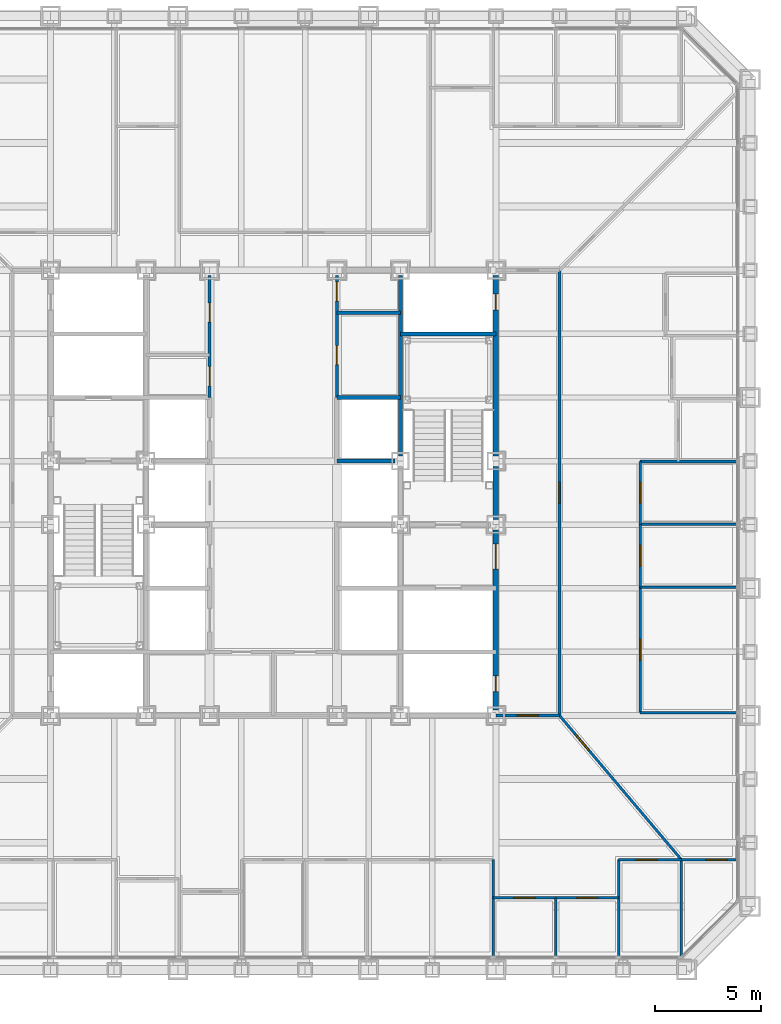
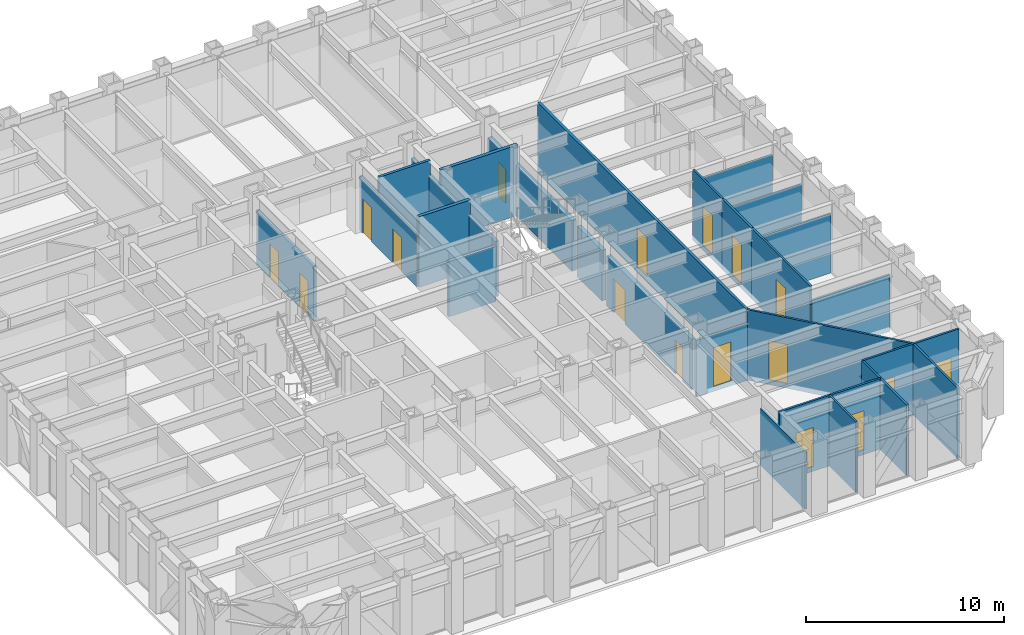
# One storey, part 10 of 16: 28 walls, 17 doors, 17 openings.
"""IFC4 building model written with IfcOpenShell, lengths in metres."""

import ifcopenshell
import ifcopenshell.guid

model = None  # the IFC model being written
_history = None  # IfcOwnerHistory: only IFC2X3 demands one
_inside = {}  # id of a spatial element -> (the spatial element, [elements in it])
_under = {}  # id of a project, library or spatial element -> (it, [spatial elements below it])
_declared = {}  # id of a project -> (the project, [libraries it declares])
_typed = {}  # id of a type object -> (the type object, [elements of that type])
_made_of = {}  # id of a material, layer set ... -> (it, [elements and type objects made of it])


def new_model(schema):
    """Start an empty IFC model of exactly this schema.

    Asked for "IFC4X3", IfcOpenShell would pick the latest addendum, in which some entities
    have other attributes; the version numbers below select the first issue.
    IFC2X3 requires an IfcOwnerHistory on every rooted entity: one is made here for all.
    """
    global model, _history
    if schema == "IFC4X3":
        model = ifcopenshell.file(schema_version=(4, 3, 0, 0))
    else:
        model = ifcopenshell.file(schema=schema)
    _inside.clear()
    _under.clear()
    _declared.clear()
    _typed.clear()
    _made_of.clear()
    _history = None
    if model.schema == "IFC2X3":
        org = make("IfcOrganization", Name="unknown")
        user = make(
            "IfcPersonAndOrganization",
            ThePerson=make("IfcPerson", FamilyName="unknown"),
            TheOrganization=org,
        )
        app = make(
            "IfcApplication",
            ApplicationDeveloper=org,
            Version="unknown",
            ApplicationFullName="unknown",
            ApplicationIdentifier="unknown",
        )
        _history = make(
            "IfcOwnerHistory",
            OwningUser=user,
            OwningApplication=app,
            ChangeAction="ADDED",
            CreationDate=0,
        )
    return model


def make(cls, **values):
    """One entity of the class cls with the attributes given. An attribute that is None is left unset."""
    return model.create_entity(
        cls, **{name: value for name, value in values.items() if value is not None}
    )


def rooted(cls, **values):
    """An entity with a GlobalId (a new one), such as an element, a storey or a relation."""
    return make(cls, GlobalId=ifcopenshell.guid.new(), OwnerHistory=_history, **values)


def si_unit(unit_type, name, prefix=None):
    """IfcSIUnit, for example si_unit("LENGTHUNIT", "METRE", prefix="MILLI")."""
    return make("IfcSIUnit", UnitType=unit_type, Prefix=prefix, Name=name)


def assignment(units):
    """IfcUnitAssignment: the units of a project."""
    return None if units is None else make("IfcUnitAssignment", Units=units)


def point(xyz):
    """IfcCartesianPoint."""
    return None if xyz is None else make("IfcCartesianPoint", Coordinates=xyz)


def direction(xyz):
    """IfcDirection."""
    return None if xyz is None else make("IfcDirection", DirectionRatios=xyz)


def frame(location, z_axis=None, x_axis=None):
    """IfcAxis2Placement3D, a coordinate frame: its origin and axes. An axis left out is left unset."""
    return make(
        "IfcAxis2Placement3D",
        Location=point(location),
        Axis=direction(z_axis),
        RefDirection=direction(x_axis),
    )


def frame_2d(location, x_axis=None):
    """IfcAxis2Placement2D, a coordinate frame in the plane: its origin and x axis."""
    return make(
        "IfcAxis2Placement2D", Location=point(location), RefDirection=direction(x_axis)
    )


def origin():
    """The frame at (0, 0, 0) with its axes left unset."""
    return frame((0.0, 0.0, 0.0))


def place(relative_to, where):
    """IfcLocalPlacement: puts the frame where relative to a parent placement (None: the world)."""
    return make(
        "IfcLocalPlacement", PlacementRelTo=relative_to, RelativePlacement=where
    )


def context(
    kind, dimensions, precision=None, world=None, true_north=None, identifier=None
):
    """IfcGeometricRepresentationContext, for example the 3D "Model" context."""
    return make(
        "IfcGeometricRepresentationContext",
        ContextIdentifier=identifier,
        ContextType=kind,
        CoordinateSpaceDimension=dimensions,
        Precision=precision,
        WorldCoordinateSystem=world,
        TrueNorth=true_north,
    )


def subcontext(parent, identifier, kind, view, scale=None):
    """IfcGeometricRepresentationSubContext, for example "Body" below "Model"."""
    return make(
        "IfcGeometricRepresentationSubContext",
        ContextIdentifier=identifier,
        ContextType=kind,
        ParentContext=parent,
        TargetScale=scale,
        TargetView=view,
    )


def project(units=None, contexts=None):
    """IfcProject with its units and contexts."""
    return rooted(
        "IfcProject",
        Name="project",
        RepresentationContexts=contexts,
        UnitsInContext=assignment(units),
    )


def spatial(cls, under=None, at=None, **own):
    """A site, building, storey or space (cls), placed at a placement, below another one or the project."""
    s = rooted(cls, ObjectPlacement=at, **own)
    if under is not None:
        _under.setdefault(under.id(), (under, []))[1].append(s)
    return s


def profile(cls, at=None, kind="AREA", **sizes):
    """A parametric profile (cls). Its sizes go by their IFC names, for example OverallWidth=200.0."""
    return make(cls, ProfileType=kind, Position=at, **sizes)


def rectangle(**sizes):
    """IfcRectangleProfileDef."""
    return profile("IfcRectangleProfileDef", **sizes)


def extrude(swept, where, along, depth):
    """IfcExtrudedAreaSolid: the profile swept, set in the frame where, extruded along a direction by depth."""
    return make(
        "IfcExtrudedAreaSolid",
        SweptArea=swept,
        Position=where,
        ExtrudedDirection=direction(along),
        Depth=depth,
    )


def shape(context_of_items, identifier, shape_type, items):
    """IfcShapeRepresentation: the items that make up one representation, for example the "Body"."""
    return make(
        "IfcShapeRepresentation",
        ContextOfItems=context_of_items,
        RepresentationIdentifier=identifier,
        RepresentationType=shape_type,
        Items=items,
    )


def material(Name=None, Category=None):
    """IfcMaterial."""
    return make("IfcMaterial", Name=Name, Category=Category)


def layer(
    of_material, thickness, ventilated=None, Name=None, Category=None, Priority=None
):
    """IfcMaterialLayer: one layer of a wall or slab, of a material (None: an air gap)."""
    return make(
        "IfcMaterialLayer",
        Material=of_material,
        LayerThickness=thickness,
        IsVentilated=ventilated,
        Name=Name,
        Category=Category,
        Priority=Priority,
    )


def layer_set(layers, Name=None):
    """IfcMaterialLayerSet."""
    return make("IfcMaterialLayerSet", MaterialLayers=layers, LayerSetName=Name)


def made_of(thing, what):
    """Note that an element or type object is made of a material, layer set ...; save() writes the relation."""
    if what is not None:
        _made_of.setdefault(what.id(), (what, []))[1].append(thing)
    return thing


def type_object(cls, material=None, **own):
    """A type object (cls), such as IfcWallType, which elements share."""
    return made_of(rooted(cls, **own), material)


def element(
    cls,
    number,
    at=None,
    inside=None,
    cuts=None,
    type_object=None,
    material=None,
    context=None,
    identifier="Body",
    shape_type=None,
    held_by="IfcProductDefinitionShape",
    body=None,
    shapes=None,
    **own,
):
    """One element of the class cls, such as IfcWall. Its Tag is "e" and its number.

    at: its placement. inside: the storey or other place that contains it. cuts: it is an
    opening in that element (IfcRelVoidsElement). A single representation is given by context,
    identifier, shape_type and body (its items); several are given by shapes. held_by: the class
    of the entity that holds the representations. save() writes the other relations.
    """
    e = rooted(cls, Tag="e%d" % number, ObjectPlacement=at, **own)
    if body is not None:
        shapes = [shape(context, identifier, shape_type, body)]
    if shapes is not None:
        e.Representation = make(held_by, Representations=shapes)
    if inside is not None:
        _inside.setdefault(inside.id(), (inside, []))[1].append(e)
    if cuts is not None:
        rooted(
            "IfcRelVoidsElement", RelatingBuildingElement=cuts, RelatedOpeningElement=e
        )
    if type_object is not None:
        _typed.setdefault(type_object.id(), (type_object, []))[1].append(e)
    return made_of(e, material)


def fill(opening, filler):
    """IfcRelFillsElement: the door or window that sits in an opening."""
    return rooted(
        "IfcRelFillsElement",
        RelatingOpeningElement=opening,
        RelatedBuildingElement=filler,
    )


def aggregate(whole, parts):
    """IfcRelAggregates: a whole, such as a stair, and the parts it consists of."""
    return rooted("IfcRelAggregates", RelatingObject=whole, RelatedObjects=parts)


def save(model, path):
    """Write the relations noted so far, then the file.

    IfcRelAggregates (storeys below a building ...), IfcRelContainedInSpatialStructure (elements
    in a storey), IfcRelDefinesByType, IfcRelAssociatesMaterial and IfcRelDeclares: one each for
    every whole, place, type object, material and project.
    """
    for whole, parts in _under.values():
        aggregate(whole, parts)
    for where, things in _inside.values():
        rooted(
            "IfcRelContainedInSpatialStructure",
            RelatedElements=things,
            RelatingStructure=where,
        )
    for kind, things in _typed.values():
        rooted("IfcRelDefinesByType", RelatedObjects=things, RelatingType=kind)
    for what, things in _made_of.values():
        rooted("IfcRelAssociatesMaterial", RelatedObjects=things, RelatingMaterial=what)
    for by, libraries in _declared.values():
        rooted("IfcRelDeclares", RelatingContext=by, RelatedDefinitions=libraries)
    model.write(path)


model = new_model("IFC4")

# Units and contexts
model_context = context("Model", 3, precision=1e-05, world=origin(), true_north=direction((0.0, 1.0)))
body_context = subcontext(model_context, "Body", "Model", "MODEL_VIEW")
ifc_project = project(units=[si_unit("LENGTHUNIT", "METRE"), si_unit("AREAUNIT", "SQUARE_METRE"), si_unit("VOLUMEUNIT", "CUBIC_METRE"), si_unit("PLANEANGLEUNIT", "RADIAN"), si_unit("MASSUNIT", "GRAM", prefix="KILO")], contexts=[model_context])

# Site, building, storey
site_placement = place(None, origin())
site = spatial("IfcSite", under=ifc_project, at=site_placement, CompositionType="ELEMENT")
building_placement = place(site_placement, origin())
building = spatial("IfcBuilding", under=site, at=building_placement, Name="Chuquiago Exchange Tower", CompositionType="ELEMENT")
storey_placement = place(building_placement, frame((0.0, 0.0, 33.300048828125)))
storey = spatial("IfcBuildingStorey", under=building, at=storey_placement, Name="L06", CompositionType="ELEMENT", Elevation=33.300048828125)

# Wall, openings, doors
ifc_material_1 = material(Name="Concrete masonry, fully grouted", Category="masonry")
ifc_layer_1 = layer(ifc_material_1, 0.25)
ifc_layer_set_1 = layer_set([ifc_layer_1], Name="W1 core wall 250")
wall_type_1 = type_object("IfcWallType", Name="W1 core wall 250", PredefinedType="SOLIDWALL", material=ifc_layer_set_1)
wall_1_placement = place(storey_placement, frame((33.0, 12.25, 0.0), z_axis=(0.0, 0.0, 1.0), x_axis=(0.0, 1.0, 0.0)))
wall_1 = element("IfcWall", 1, at=wall_1_placement, inside=storey, type_object=wall_type_1, Name="CW-L06-25-0", PredefinedType="SOLIDWALL", context=body_context, shape_type="SweptSolid", body=[
    extrude(rectangle(XDim=8.5, YDim=0.25, at=frame_2d((4.25, 0.0))), origin(), (0.0, 0.0, 1.0), 3.11279296875),
])
opening_1_placement = place(wall_1_placement, frame((6.64990234375, 0.0, 0.0)))
opening_1 = element("IfcOpeningElement", 2, at=opening_1_placement, cuts=wall_1, Name="Opening L06-004", PredefinedType="OPENING", context=body_context, shape_type="SweptSolid", body=[
    extrude(rectangle(XDim=1.199951171875, YDim=2.10009765625, at=frame_2d((0.60009765625, 1.050048828125))), frame((0.0, 0.135009765625, 0.0), z_axis=(0.0, -1.0, 0.0), x_axis=(1.0, 0.0, 0.0)), (0.0, 0.0, 1.0), 0.27001953125),
])
opening_2_placement = place(wall_1_placement, frame((0.875, 0.0, 0.0)))
opening_2 = element("IfcOpeningElement", 3, at=opening_2_placement, cuts=wall_1, Name="Opening L06-009", PredefinedType="OPENING", context=body_context, shape_type="SweptSolid", body=[
    extrude(rectangle(XDim=0.75, YDim=2.10009765625, at=frame_2d((0.375, 1.050048828125))), frame((0.0, 0.135009765625, 0.0), z_axis=(0.0, -1.0, 0.0), x_axis=(1.0, 0.0, 0.0)), (0.0, 0.0, 1.0), 0.27001953125),
])
ifc_material_2 = material(Name="Steel door, painted", Category="steel")
door_type_1 = type_object("IfcDoorType", Name="D5 firefighting lobby door 1200x2100", OperationType="SINGLE_SWING_LEFT", PredefinedType="DOOR", material=ifc_material_2)
door_1_placement = place(opening_1_placement, origin())
door_1 = element("IfcDoor", 4, at=door_1_placement, inside=storey, type_object=door_type_1, Name="Firefighting lobby 2 door", OperationType="SINGLE_SWING_RIGHT", OverallHeight=2.10009765625, OverallWidth=1.199951171875, PredefinedType="DOOR", context=body_context, shape_type="SweptSolid", body=[
    extrude(rectangle(XDim=1.199951171875, YDim=2.10009765625, at=frame_2d((0.60009765625, 1.050048828125))), frame((0.0, 0.02490234375, 0.0), z_axis=(0.0, -1.0, 0.0), x_axis=(1.0, 0.0, 0.0)), (0.0, 0.0, 1.0), 0.050048828125),
])
fill(opening_1, door_1)
ifc_material_3 = material(Name="Steel door, painted", Category="steel")
door_type_2 = type_object("IfcDoorType", Name="D6 riser access door 750x2100", OperationType="SINGLE_SWING_LEFT", PredefinedType="DOOR", material=ifc_material_3)
door_2_placement = place(opening_2_placement, frame((0.75, 0.0, 0.0), z_axis=(0.0, 0.0, 1.0), x_axis=(-1.0, 0.0, 0.0)))
door_2 = element("IfcDoor", 5, at=door_2_placement, inside=storey, type_object=door_type_2, Name="Riser RE1 door", OperationType="SINGLE_SWING_RIGHT", OverallHeight=2.10009765625, OverallWidth=0.75, PredefinedType="DOOR", context=body_context, shape_type="SweptSolid", body=[
    extrude(rectangle(XDim=0.75, YDim=2.10009765625, at=frame_2d((0.375, 1.050048828125))), frame((0.0, 0.02490234375, 0.0), z_axis=(0.0, -1.0, 0.0), x_axis=(1.0, 0.0, 0.0)), (0.0, 0.0, 1.0), 0.050048828125),
])
fill(opening_2, door_2)

# Wall
wall_2_placement = place(storey_placement, frame((33.0, 21.25, 0.0), z_axis=(0.0, 0.0, 1.0), x_axis=(0.0, 1.0, 0.0)))
element("IfcWall", 6, at=wall_2_placement, inside=storey, type_object=wall_type_1, Name="CW-L06-25-1", PredefinedType="SOLIDWALL", context=body_context, shape_type="SweptSolid", body=[
    extrude(rectangle(XDim=2.5, YDim=0.25, at=frame_2d((1.25, 0.0))), origin(), (0.0, 0.0, 1.0), 3.11279296875),
])

# Wall, opening, door
wall_3_placement = place(storey_placement, frame((33.0, 24.25, 0.0), z_axis=(0.0, 0.0, 1.0), x_axis=(0.0, 1.0, 0.0)))
wall_3 = element("IfcWall", 7, at=wall_3_placement, inside=storey, type_object=wall_type_1, Name="CW-L06-25-2", PredefinedType="SOLIDWALL", context=body_context, shape_type="SweptSolid", body=[
    extrude(rectangle(XDim=8.5, YDim=0.25, at=frame_2d((4.25, 0.0))), origin(), (0.0, 0.0, 1.0), 3.11279296875),
])
opening_3_placement = place(wall_3_placement, frame((6.875, 0.0, 0.0)))
opening_3 = element("IfcOpeningElement", 8, at=opening_3_placement, cuts=wall_3, Name="Opening L06-010", PredefinedType="OPENING", context=body_context, shape_type="SweptSolid", body=[
    extrude(rectangle(XDim=0.75, YDim=2.10009765625, at=frame_2d((0.375, 1.050048828125))), frame((0.0, 0.135009765625, 0.0), z_axis=(0.0, -1.0, 0.0), x_axis=(1.0, 0.0, 0.0)), (0.0, 0.0, 1.0), 0.27001953125),
])
door_3_placement = place(opening_3_placement, frame((0.75, 0.0, 0.0), z_axis=(0.0, 0.0, 1.0), x_axis=(-1.0, 0.0, 0.0)))
door_3 = element("IfcDoor", 9, at=door_3_placement, inside=storey, type_object=door_type_2, Name="Riser RE2 door", OperationType="SINGLE_SWING_LEFT", OverallHeight=2.10009765625, OverallWidth=0.75, PredefinedType="DOOR", context=body_context, shape_type="SweptSolid", body=[
    extrude(rectangle(XDim=0.75, YDim=2.10009765625, at=frame_2d((0.375, 1.050048828125))), frame((0.0, 0.02490234375, 0.0), z_axis=(0.0, -1.0, 0.0), x_axis=(1.0, 0.0, 0.0)), (0.0, 0.0, 1.0), 0.050048828125),
])
fill(opening_3, door_3)

ifc_material_4 = material(Name="Gypsum board on steel studs, acoustic insulation", Category="steel")
ifc_layer_2 = layer(ifc_material_4, 0.14990234375)
ifc_layer_set_2 = layer_set([ifc_layer_2], Name="W11 corridor wall 150")
wall_type_2 = type_object("IfcWallType", Name="W11 corridor wall 150", PredefinedType="PARTITIONING", material=ifc_layer_set_2)
wall_4_placement = place(storey_placement, frame((36.0, 12.0, -0.300048828125), z_axis=(0.0, 0.0, 1.0), x_axis=(0.0, 1.0, 0.0)))
wall_4 = element("IfcWall", 10, at=wall_4_placement, inside=storey, type_object=wall_type_2, Name="PW-L06-GE0", PredefinedType="PARTITIONING", context=body_context, shape_type="SweptSolid", body=[
    extrude(rectangle(XDim=21.0, YDim=0.14990234375, at=frame_2d((10.5, 0.0))), origin(), (0.0, 0.0, 1.0), 4.340087890625),
])
opening_4_placement = place(wall_4_placement, frame((10.0, 0.0, 0.300048828125)))
opening_4 = element("IfcOpeningElement", 11, at=opening_4_placement, cuts=wall_4, Name="Opening L06-053", PredefinedType="OPENING", context=body_context, shape_type="SweptSolid", body=[
    extrude(rectangle(XDim=1.0, YDim=2.39990234375, at=frame_2d((0.5, 1.199951171875))), frame((0.0, 0.0849609375, 0.0), z_axis=(0.0, -1.0, 0.0), x_axis=(1.0, 0.0, 0.0)), (0.0, 0.0, 1.0), 0.169921875),
])
ifc_material_5 = material(Name="Timber door, laminate faced", Category="wood")
door_type_3 = type_object("IfcDoorType", Name="D9 room door 1000x2400", OperationType="SINGLE_SWING_LEFT", PredefinedType="DOOR", material=ifc_material_5)
door_4_placement = place(opening_4_placement, frame((1.0, 0.0, 0.0), z_axis=(0.0, 0.0, 1.0), x_axis=(-1.0, 0.0, 0.0)))
door_4 = element("IfcDoor", 12, at=door_4_placement, inside=storey, type_object=door_type_3, Name="Team area door", OperationType="SINGLE_SWING_RIGHT", OverallHeight=2.39990234375, OverallWidth=1.0, PredefinedType="DOOR", context=body_context, shape_type="SweptSolid", body=[
    extrude(rectangle(XDim=1.0, YDim=2.39990234375, at=frame_2d((0.5, 1.199951171875))), frame((0.0, 0.02490234375, 0.0), z_axis=(0.0, -1.0, 0.0), x_axis=(1.0, 0.0, 0.0)), (0.0, 0.0, 1.0), 0.050048828125),
])
fill(opening_4, door_4)

wall_5_placement = place(storey_placement, frame((33.0, 12.0, -0.300048828125), z_axis=(0.0, 0.0, 1.0), x_axis=(1.0, 0.0, 0.0)))
wall_5 = element("IfcWall", 13, at=wall_5_placement, inside=storey, type_object=wall_type_2, Name="PW-L06-GES0", PredefinedType="PARTITIONING", context=body_context, shape_type="SweptSolid", body=[
    extrude(rectangle(XDim=3.0, YDim=0.14990234375, at=frame_2d((1.5, 0.0))), origin(), (0.0, 0.0, 1.0), 3.4814453125),
])
opening_5_placement = place(wall_5_placement, frame((1.0, 0.0, 0.300048828125)))
opening_5 = element("IfcOpeningElement", 14, at=opening_5_placement, cuts=wall_5, Name="Opening L06-055", PredefinedType="OPENING", context=body_context, shape_type="SweptSolid", body=[
    extrude(rectangle(XDim=1.0, YDim=2.39990234375, at=frame_2d((0.5, 1.199951171875))), frame((0.0, 0.0849609375, 0.0), z_axis=(0.0, -1.0, 0.0), x_axis=(1.0, 0.0, 0.0)), (0.0, 0.0, 1.0), 0.169921875),
])
door_5_placement = place(opening_5_placement, frame((1.0, 0.0, 0.0), z_axis=(0.0, 0.0, 1.0), x_axis=(-1.0, 0.0, 0.0)))
door_5 = element("IfcDoor", 15, at=door_5_placement, inside=storey, type_object=door_type_3, Name="Team area door", OperationType="SINGLE_SWING_RIGHT", OverallHeight=2.39990234375, OverallWidth=1.0, PredefinedType="DOOR", context=body_context, shape_type="SweptSolid", body=[
    extrude(rectangle(XDim=1.0, YDim=2.39990234375, at=frame_2d((0.5, 1.199951171875))), frame((0.0, 0.02490234375, 0.0), z_axis=(0.0, -1.0, 0.0), x_axis=(1.0, 0.0, 0.0)), (0.0, 0.0, 1.0), 0.050048828125),
])
fill(opening_5, door_5)

# Walls
ifc_material_6 = material(Name="Concrete masonry, fully grouted", Category="masonry")
ifc_layer_3 = layer(ifc_material_6, 0.199951171875)
ifc_layer_set_3 = layer_set([ifc_layer_3], Name="W2 shaft wall 200")
wall_type_3 = type_object("IfcWallType", Name="W2 shaft wall 200", PredefinedType="SOLIDWALL", material=ifc_layer_set_3)
wall_6_placement = place(storey_placement, frame((25.5, 24.0, 0.0), z_axis=(0.0, 0.0, 1.0), x_axis=(1.0, 0.0, 0.0)))
element("IfcWall", 16, at=wall_6_placement, inside=storey, type_object=wall_type_3, Name="CW-L06-06-0", PredefinedType="SOLIDWALL", context=body_context, shape_type="SweptSolid", body=[
    extrude(rectangle(XDim=2.75, YDim=0.199951171875, at=frame_2d((1.375, 0.0))), origin(), (0.0, 0.0, 1.0), 3.389892578125),
])
wall_7_placement = place(storey_placement, frame((25.5, 27.0, 0.0), z_axis=(0.0, 0.0, 1.0), x_axis=(1.0, 0.0, 0.0)))
element("IfcWall", 17, at=wall_7_placement, inside=storey, type_object=wall_type_3, Name="CW-L06-08-0", PredefinedType="SOLIDWALL", context=body_context, shape_type="SweptSolid", body=[
    extrude(rectangle(XDim=3.0, YDim=0.199951171875, at=frame_2d((1.5, 0.0))), origin(), (0.0, 0.0, 1.0), 4.33984375),
])
wall_8_placement = place(storey_placement, frame((28.5, 30.0, 0.0), z_axis=(0.0, 0.0, 1.0), x_axis=(1.0, 0.0, 0.0)))
element("IfcWall", 18, at=wall_8_placement, inside=storey, type_object=wall_type_3, Name="CW-L06-10-0", PredefinedType="SOLIDWALL", context=body_context, shape_type="SweptSolid", body=[
    extrude(rectangle(XDim=4.5, YDim=0.199951171875, at=frame_2d((2.25, 0.0))), origin(), (0.0, 0.0, 1.0), 4.33984375),
])
wall_9_placement = place(storey_placement, frame((28.5, 24.25, 0.0), z_axis=(0.0, 0.0, 1.0), x_axis=(0.0, 1.0, 0.0)))
element("IfcWall", 19, at=wall_9_placement, inside=storey, type_object=wall_type_3, Name="CW-L06-24-2", PredefinedType="SOLIDWALL", context=body_context, shape_type="SweptSolid", body=[
    extrude(rectangle(XDim=8.5, YDim=0.199951171875, at=frame_2d((4.25, 0.0))), origin(), (0.0, 0.0, 1.0), 3.412841796875),
])

# Wall, openings, doors
ifc_material_7 = material(Name="Gypsum board on steel studs", Category="steel")
ifc_layer_4 = layer(ifc_material_7, 0.14990234375)
ifc_layer_set_4 = layer_set([ifc_layer_4], Name="W3 core partition 150")
wall_type_4 = type_object("IfcWallType", Name="W3 core partition 150", PredefinedType="PARTITIONING", material=ifc_layer_set_4)
wall_10_placement = place(storey_placement, frame((19.5, 27.0, 0.0), z_axis=(0.0, 0.0, 1.0), x_axis=(0.0, 1.0, 0.0)))
wall_10 = element("IfcWall", 20, at=wall_10_placement, inside=storey, type_object=wall_type_4, Name="CW-L06-20-0", PredefinedType="PARTITIONING", context=body_context, shape_type="SweptSolid", body=[
    extrude(rectangle(XDim=5.75, YDim=0.14990234375, at=frame_2d((2.875, 0.0))), origin(), (0.0, 0.0, 1.0), 3.364501953125),
])
opening_6_placement = place(wall_10_placement, frame((0.550048828125, 0.0, 0.0)))
opening_6 = element("IfcOpeningElement", 21, at=opening_6_placement, cuts=wall_10, Name="Opening L06-011", PredefinedType="OPENING", context=body_context, shape_type="SweptSolid", body=[
    extrude(rectangle(XDim=0.89990234375, YDim=2.10009765625, at=frame_2d((0.449951171875, 1.050048828125))), frame((0.0, 0.0849609375, 0.0), z_axis=(0.0, -1.0, 0.0), x_axis=(1.0, 0.0, 0.0)), (0.0, 0.0, 1.0), 0.169921875),
])
opening_7_placement = place(wall_10_placement, frame((3.550048828125, 0.0, 0.0)))
opening_7 = element("IfcOpeningElement", 22, at=opening_7_placement, cuts=wall_10, Name="Opening L06-012", PredefinedType="OPENING", context=body_context, shape_type="SweptSolid", body=[
    extrude(rectangle(XDim=0.89990234375, YDim=2.10009765625, at=frame_2d((0.449951171875, 1.050048828125))), frame((0.0, 0.0849609375, 0.0), z_axis=(0.0, -1.0, 0.0), x_axis=(1.0, 0.0, 0.0)), (0.0, 0.0, 1.0), 0.169921875),
])
ifc_material_8 = material(Name="Timber door, laminate faced", Category="wood")
door_type_4 = type_object("IfcDoorType", Name="D16 core room door 900x2100", OperationType="SINGLE_SWING_LEFT", PredefinedType="DOOR", material=ifc_material_8)
door_6_placement = place(opening_6_placement, origin())
door_6 = element("IfcDoor", 23, at=door_6_placement, inside=storey, type_object=door_type_4, Name="First aid room door", OperationType="SINGLE_SWING_LEFT", OverallHeight=2.10009765625, OverallWidth=0.89990234375, PredefinedType="DOOR", context=body_context, shape_type="SweptSolid", body=[
    extrude(rectangle(XDim=0.89990234375, YDim=2.10009765625, at=frame_2d((0.449951171875, 1.050048828125))), frame((0.0, 0.02490234375, 0.0), z_axis=(0.0, -1.0, 0.0), x_axis=(1.0, 0.0, 0.0)), (0.0, 0.0, 1.0), 0.050048828125),
])
fill(opening_6, door_6)
ifc_material_9 = material(Name="Timber door, laminate faced", Category="wood")
door_type_5 = type_object("IfcDoorType", Name="D7 toilet door 900x2100", OperationType="SINGLE_SWING_LEFT", PredefinedType="DOOR", material=ifc_material_9)
door_7_placement = place(opening_7_placement, origin())
door_7 = element("IfcDoor", 24, at=door_7_placement, inside=storey, type_object=door_type_5, Name="Male WC door", OperationType="SINGLE_SWING_RIGHT", OverallHeight=2.10009765625, OverallWidth=0.89990234375, PredefinedType="DOOR", context=body_context, shape_type="SweptSolid", body=[
    extrude(rectangle(XDim=0.89990234375, YDim=2.10009765625, at=frame_2d((0.449951171875, 1.050048828125))), frame((0.0, 0.02490234375, 0.0), z_axis=(0.0, -1.0, 0.0), x_axis=(1.0, 0.0, 0.0)), (0.0, 0.0, 1.0), 0.050048828125),
])
fill(opening_7, door_7)

wall_11_placement = place(storey_placement, frame((25.5, 27.0, 0.0), z_axis=(0.0, 0.0, 1.0), x_axis=(0.0, 1.0, 0.0)))
wall_11 = element("IfcWall", 25, at=wall_11_placement, inside=storey, type_object=wall_type_4, Name="CW-L06-23-0", PredefinedType="PARTITIONING", context=body_context, shape_type="SweptSolid", body=[
    extrude(rectangle(XDim=5.75, YDim=0.14990234375, at=frame_2d((2.875, 0.0))), origin(), (0.0, 0.0, 1.0), 3.364501953125),
])
opening_8_placement = place(wall_11_placement, frame((1.550048828125, 0.0, 0.0)))
opening_8 = element("IfcOpeningElement", 26, at=opening_8_placement, cuts=wall_11, Name="Opening L06-013", PredefinedType="OPENING", context=body_context, shape_type="SweptSolid", body=[
    extrude(rectangle(XDim=0.89990234375, YDim=2.10009765625, at=frame_2d((0.449951171875, 1.050048828125))), frame((0.0, 0.0849609375, 0.0), z_axis=(0.0, -1.0, 0.0), x_axis=(1.0, 0.0, 0.0)), (0.0, 0.0, 1.0), 0.169921875),
])
opening_9_placement = place(wall_11_placement, frame((4.550048828125, 0.0, 0.0)))
opening_9 = element("IfcOpeningElement", 27, at=opening_9_placement, cuts=wall_11, Name="Opening L06-014", PredefinedType="OPENING", context=body_context, shape_type="SweptSolid", body=[
    extrude(rectangle(XDim=0.89990234375, YDim=2.10009765625, at=frame_2d((0.449951171875, 1.050048828125))), frame((0.0, 0.0849609375, 0.0), z_axis=(0.0, -1.0, 0.0), x_axis=(1.0, 0.0, 0.0)), (0.0, 0.0, 1.0), 0.169921875),
])
door_8_placement = place(opening_9_placement, frame((0.89990234375, 0.0, 0.0), z_axis=(0.0, 0.0, 1.0), x_axis=(-1.0, 0.0, 0.0)))
door_8 = element("IfcDoor", 28, at=door_8_placement, inside=storey, type_object=door_type_4, Name="Staff shower room door", OperationType="SINGLE_SWING_LEFT", OverallHeight=2.10009765625, OverallWidth=0.89990234375, PredefinedType="DOOR", context=body_context, shape_type="SweptSolid", body=[
    extrude(rectangle(XDim=0.89990234375, YDim=2.10009765625, at=frame_2d((0.449951171875, 1.050048828125))), frame((0.0, 0.02490234375, 0.0), z_axis=(0.0, -1.0, 0.0), x_axis=(1.0, 0.0, 0.0)), (0.0, 0.0, 1.0), 0.050048828125),
])
fill(opening_9, door_8)
door_9_placement = place(opening_8_placement, frame((0.89990234375, 0.0, 0.0), z_axis=(0.0, 0.0, 1.0), x_axis=(-1.0, 0.0, 0.0)))
door_9 = element("IfcDoor", 29, at=door_9_placement, inside=storey, type_object=door_type_5, Name="Female WC door", OperationType="SINGLE_SWING_RIGHT", OverallHeight=2.10009765625, OverallWidth=0.89990234375, PredefinedType="DOOR", context=body_context, shape_type="SweptSolid", body=[
    extrude(rectangle(XDim=0.89990234375, YDim=2.10009765625, at=frame_2d((0.449951171875, 1.050048828125))), frame((0.0, 0.02490234375, 0.0), z_axis=(0.0, -1.0, 0.0), x_axis=(1.0, 0.0, 0.0)), (0.0, 0.0, 1.0), 0.050048828125),
])
fill(opening_8, door_9)

# Walls
wall_12_placement = place(storey_placement, frame((25.5, 31.0, 0.0), z_axis=(0.0, 0.0, 1.0), x_axis=(1.0, 0.0, 0.0)))
element("IfcWall", 30, at=wall_12_placement, inside=storey, type_object=wall_type_4, Name="CW-L06-WCFS", PredefinedType="PARTITIONING", context=body_context, shape_type="SweptSolid", body=[
    extrude(rectangle(XDim=3.0, YDim=0.14990234375, at=frame_2d((1.5, 0.0))), origin(), (0.0, 0.0, 1.0), 4.33984375),
])
ifc_material_10 = material(Name="Gypsum board on steel studs", Category="steel")
ifc_layer_5 = layer(ifc_material_10, 0.1201171875)
ifc_layer_set_5 = layer_set([ifc_layer_5], Name="W4 partition 120")
wall_type_5 = type_object("IfcWallType", Name="W4 partition 120", PredefinedType="PARTITIONING", material=ifc_layer_set_5)
wall_13_placement = place(storey_placement, frame((32.8662109375, 0.657470703125, -0.300048828125), z_axis=(0.0, 0.0, 1.0), x_axis=(0.0, 1.0, 0.0)))
element("IfcWall", 31, at=wall_13_placement, inside=storey, type_object=wall_type_5, Name="PW-L06-S03287", PredefinedType="PARTITIONING", context=body_context, shape_type="SweptSolid", body=[
    extrude(rectangle(XDim=4.54248046875, YDim=0.1201171875, at=frame_2d((2.271240234375, 0.0))), origin(), (0.0, 0.0, 1.0), 3.4814453125),
])
wall_14_placement = place(storey_placement, frame((35.827880859375, 0.657470703125, -0.300048828125), z_axis=(0.0, 0.0, 1.0), x_axis=(0.0, 1.0, 0.0)))
element("IfcWall", 32, at=wall_14_placement, inside=storey, type_object=wall_type_5, Name="PW-L06-S03583", PredefinedType="PARTITIONING", context=body_context, shape_type="SweptSolid", body=[
    extrude(rectangle(XDim=2.742431640625, YDim=0.1201171875, at=frame_2d((1.37109375, 0.0))), origin(), (0.0, 0.0, 1.0), 4.340087890625),
])
wall_15_placement = place(storey_placement, frame((38.789794921875, 0.657470703125, -0.300048828125), z_axis=(0.0, 0.0, 1.0), x_axis=(0.0, 1.0, 0.0)))
element("IfcWall", 33, at=wall_15_placement, inside=storey, type_object=wall_type_5, Name="PW-L06-S03879", PredefinedType="PARTITIONING", context=body_context, shape_type="SweptSolid", body=[
    extrude(rectangle(XDim=4.54248046875, YDim=0.1201171875, at=frame_2d((2.271240234375, 0.0))), origin(), (0.0, 0.0, 1.0), 4.340087890625),
])
wall_16_placement = place(storey_placement, frame((41.75146484375, 0.666015625, -0.300048828125), z_axis=(0.0, 0.0, 1.0), x_axis=(0.0, 1.0, 0.0)))
element("IfcWall", 34, at=wall_16_placement, inside=storey, type_object=wall_type_5, Name="PW-L06-S04175", PredefinedType="PARTITIONING", context=body_context, shape_type="SweptSolid", body=[
    extrude(rectangle(XDim=4.533935546875, YDim=0.1201171875, at=frame_2d((2.26708984375, 0.0))), origin(), (0.0, 0.0, 1.0), 4.340087890625),
])

# Wall, opening, door
wall_17_placement = place(storey_placement, frame((32.8662109375, 3.39990234375, -0.300048828125), z_axis=(0.0, 0.0, 1.0), x_axis=(1.0, 0.0, 0.0)))
wall_17 = element("IfcWall", 35, at=wall_17_placement, inside=storey, type_object=wall_type_5, Name="PW-L06-SF03287", PredefinedType="PARTITIONING", context=body_context, shape_type="SweptSolid", body=[
    extrude(rectangle(XDim=2.961669921875, YDim=0.1201171875, at=frame_2d((1.48095703125, 0.0))), origin(), (0.0, 0.0, 1.0), 4.340087890625),
])
opening_10_placement = place(wall_17_placement, frame((0.98095703125, 0.0, 0.300048828125)))
opening_10 = element("IfcOpeningElement", 36, at=opening_10_placement, cuts=wall_17, Name="Opening L06-029", PredefinedType="OPENING", context=body_context, shape_type="SweptSolid", body=[
    extrude(rectangle(XDim=1.0, YDim=2.39990234375, at=frame_2d((0.5, 1.199951171875))), frame((0.0, 0.070068359375, 0.0), z_axis=(0.0, -1.0, 0.0), x_axis=(1.0, 0.0, 0.0)), (0.0, 0.0, 1.0), 0.14013671875),
])
ifc_material_11 = material(Name="Timber frame door, full height glazed panel", Category="wood")
door_type_6 = type_object("IfcDoorType", Name="D14 glazed meeting room door 1000x2400", OperationType="SINGLE_SWING_LEFT", PredefinedType="DOOR", material=ifc_material_11)
door_10_placement = place(opening_10_placement, frame((1.0, 0.0, 0.0), z_axis=(0.0, 0.0, 1.0), x_axis=(-1.0, 0.0, 0.0)))
door_10 = element("IfcDoor", 37, at=door_10_placement, inside=storey, type_object=door_type_6, Name="Focus room door", OperationType="SINGLE_SWING_LEFT", OverallHeight=2.39990234375, OverallWidth=1.0, PredefinedType="DOOR", context=body_context, shape_type="SweptSolid", body=[
    extrude(rectangle(XDim=1.0, YDim=2.39990234375, at=frame_2d((0.5, 1.199951171875))), frame((0.0, 0.02490234375, 0.0), z_axis=(0.0, -1.0, 0.0), x_axis=(1.0, 0.0, 0.0)), (0.0, 0.0, 1.0), 0.050048828125),
])
fill(opening_10, door_10)

wall_18_placement = place(storey_placement, frame((35.827880859375, 3.39990234375, -0.300048828125), z_axis=(0.0, 0.0, 1.0), x_axis=(1.0, 0.0, 0.0)))
wall_18 = element("IfcWall", 38, at=wall_18_placement, inside=storey, type_object=wall_type_5, Name="PW-L06-SF03583", PredefinedType="PARTITIONING", context=body_context, shape_type="SweptSolid", body=[
    extrude(rectangle(XDim=2.9619140625, YDim=0.1201171875, at=frame_2d((1.48095703125, 0.0))), origin(), (0.0, 0.0, 1.0), 4.340087890625),
])
opening_11_placement = place(wall_18_placement, frame((0.98095703125, 0.0, 0.300048828125)))
opening_11 = element("IfcOpeningElement", 39, at=opening_11_placement, cuts=wall_18, Name="Opening L06-030", PredefinedType="OPENING", context=body_context, shape_type="SweptSolid", body=[
    extrude(rectangle(XDim=1.0, YDim=2.39990234375, at=frame_2d((0.5, 1.199951171875))), frame((0.0, 0.070068359375, 0.0), z_axis=(0.0, -1.0, 0.0), x_axis=(1.0, 0.0, 0.0)), (0.0, 0.0, 1.0), 0.14013671875),
])
door_11_placement = place(opening_11_placement, frame((1.0, 0.0, 0.0), z_axis=(0.0, 0.0, 1.0), x_axis=(-1.0, 0.0, 0.0)))
door_11 = element("IfcDoor", 40, at=door_11_placement, inside=storey, type_object=door_type_6, Name="Focus room door", OperationType="SINGLE_SWING_RIGHT", OverallHeight=2.39990234375, OverallWidth=1.0, PredefinedType="DOOR", context=body_context, shape_type="SweptSolid", body=[
    extrude(rectangle(XDim=1.0, YDim=2.39990234375, at=frame_2d((0.5, 1.199951171875))), frame((0.0, 0.02490234375, 0.0), z_axis=(0.0, -1.0, 0.0), x_axis=(1.0, 0.0, 0.0)), (0.0, 0.0, 1.0), 0.050048828125),
])
fill(opening_11, door_11)

wall_19_placement = place(storey_placement, frame((38.789794921875, 5.199951171875, -0.300048828125), z_axis=(0.0, 0.0, 1.0), x_axis=(1.0, 0.0, 0.0)))
wall_19 = element("IfcWall", 41, at=wall_19_placement, inside=storey, type_object=wall_type_5, Name="PW-L06-SF03879", PredefinedType="PARTITIONING", context=body_context, shape_type="SweptSolid", body=[
    extrude(rectangle(XDim=2.961669921875, YDim=0.1201171875, at=frame_2d((1.48095703125, 0.0))), origin(), (0.0, 0.0, 1.0), 4.340087890625),
])
opening_12_placement = place(wall_19_placement, frame((0.832763671875, 0.0, 0.300048828125)))
opening_12 = element("IfcOpeningElement", 42, at=opening_12_placement, cuts=wall_19, Name="Opening L06-031", PredefinedType="OPENING", context=body_context, shape_type="SweptSolid", body=[
    extrude(rectangle(XDim=1.0, YDim=2.39990234375, at=frame_2d((0.5, 1.199951171875))), frame((0.0, 0.070068359375, 0.0), z_axis=(0.0, -1.0, 0.0), x_axis=(1.0, 0.0, 0.0)), (0.0, 0.0, 1.0), 0.14013671875),
])
door_12_placement = place(opening_12_placement, frame((1.0, 0.0, 0.0), z_axis=(0.0, 0.0, 1.0), x_axis=(-1.0, 0.0, 0.0)))
door_12 = element("IfcDoor", 43, at=door_12_placement, inside=storey, type_object=door_type_3, Name="Office door", OperationType="SINGLE_SWING_RIGHT", OverallHeight=2.39990234375, OverallWidth=1.0, PredefinedType="DOOR", context=body_context, shape_type="SweptSolid", body=[
    extrude(rectangle(XDim=1.0, YDim=2.39990234375, at=frame_2d((0.5, 1.199951171875))), frame((0.0, 0.02490234375, 0.0), z_axis=(0.0, -1.0, 0.0), x_axis=(1.0, 0.0, 0.0)), (0.0, 0.0, 1.0), 0.050048828125),
])
fill(opening_12, door_12)

wall_20_placement = place(storey_placement, frame((41.75146484375, 5.199951171875, -0.300048828125), z_axis=(0.0, 0.0, 1.0), x_axis=(1.0, 0.0, 0.0)))
wall_20 = element("IfcWall", 44, at=wall_20_placement, inside=storey, type_object=wall_type_5, Name="PW-L06-SF04175", PredefinedType="PARTITIONING", context=body_context, shape_type="SweptSolid", body=[
    extrude(rectangle(XDim=2.616455078125, YDim=0.1201171875, at=frame_2d((1.30810546875, 0.0))), origin(), (0.0, 0.0, 1.0), 4.340087890625),
])
opening_13_placement = place(wall_20_placement, frame((1.156494140625, 0.0, 0.300048828125)))
opening_13 = element("IfcOpeningElement", 45, at=opening_13_placement, cuts=wall_20, Name="Opening L06-032", PredefinedType="OPENING", context=body_context, shape_type="SweptSolid", body=[
    extrude(rectangle(XDim=1.0, YDim=2.39990234375, at=frame_2d((0.5, 1.199951171875))), frame((0.0, 0.070068359375, 0.0), z_axis=(0.0, -1.0, 0.0), x_axis=(1.0, 0.0, 0.0)), (0.0, 0.0, 1.0), 0.14013671875),
])
door_13_placement = place(opening_13_placement, frame((1.0, 0.0, 0.0), z_axis=(0.0, 0.0, 1.0), x_axis=(-1.0, 0.0, 0.0)))
door_13 = element("IfcDoor", 46, at=door_13_placement, inside=storey, type_object=door_type_3, Name="Office door", OperationType="SINGLE_SWING_LEFT", OverallHeight=2.39990234375, OverallWidth=1.0, PredefinedType="DOOR", context=body_context, shape_type="SweptSolid", body=[
    extrude(rectangle(XDim=1.0, YDim=2.39990234375, at=frame_2d((0.5, 1.199951171875))), frame((0.0, 0.02490234375, 0.0), z_axis=(0.0, -1.0, 0.0), x_axis=(1.0, 0.0, 0.0)), (0.0, 0.0, 1.0), 0.050048828125),
])
fill(opening_13, door_13)

# Walls
wall_21_placement = place(storey_placement, frame((44.342529296875, 12.1337890625, -0.300048828125), z_axis=(0.0, 0.0, 1.0), x_axis=(-1.0, 0.0, 0.0)))
element("IfcWall", 47, at=wall_21_placement, inside=storey, type_object=wall_type_5, Name="PW-L06-E01213", PredefinedType="PARTITIONING", context=body_context, shape_type="SweptSolid", body=[
    extrude(rectangle(XDim=4.54248046875, YDim=0.1201171875, at=frame_2d((2.271240234375, 0.0))), origin(), (0.0, 0.0, 1.0), 3.4814453125),
])
for number, where, z_axis, x_axis, name in (
    (48, (44.342529296875, 18.057373046875, -0.300048828125), (0.0, 0.0, 1.0), (-1.0, 0.0, 0.0), "PW-L06-E01806"),
    (49, (44.342529296875, 21.01904296875, -0.300048828125), (0.0, 0.0, 1.0), (-1.0, 0.0, 0.0), "PW-L06-E02102"),
    (50, (44.342529296875, 23.98095703125, -0.300048828125), (0.0, 0.0, 1.0), (-1.0, 0.0, 0.0), "PW-L06-E02398"),
):
    element("IfcWall", number, at=place(storey_placement, frame(where, z_axis=z_axis, x_axis=x_axis)), inside=storey, type_object=wall_type_5, Name=name, PredefinedType="PARTITIONING", context=body_context, shape_type="SweptSolid", body=[
        extrude(rectangle(XDim=4.54248046875, YDim=0.1201171875, at=frame_2d((2.271240234375, 0.0))), origin(), (0.0, 0.0, 1.0), 3.646484375),
    ])

# Wall, opening, door
wall_22_placement = place(storey_placement, frame((39.800048828125, 12.1337890625, -0.300048828125), z_axis=(0.0, 0.0, 1.0), x_axis=(0.0, 1.0, 0.0)))
wall_22 = element("IfcWall", 51, at=wall_22_placement, inside=storey, type_object=wall_type_5, Name="PW-L06-EF01213", PredefinedType="PARTITIONING", context=body_context, shape_type="SweptSolid", body=[
    extrude(rectangle(XDim=5.923583984375, YDim=0.1201171875, at=frame_2d((2.9619140625, 0.0))), origin(), (0.0, 0.0, 1.0), 4.340087890625),
])
opening_14_placement = place(wall_22_placement, frame((2.4619140625, 0.0, 0.300048828125)))
opening_14 = element("IfcOpeningElement", 52, at=opening_14_placement, cuts=wall_22, Name="Opening L06-033", PredefinedType="OPENING", context=body_context, shape_type="SweptSolid", body=[
    extrude(rectangle(XDim=1.0, YDim=2.39990234375, at=frame_2d((0.5, 1.199951171875))), frame((0.0, 0.070068359375, 0.0), z_axis=(0.0, -1.0, 0.0), x_axis=(1.0, 0.0, 0.0)), (0.0, 0.0, 1.0), 0.14013671875),
])
door_14_placement = place(opening_14_placement, frame((1.0, 0.0, 0.0), z_axis=(0.0, 0.0, 1.0), x_axis=(-1.0, 0.0, 0.0)))
door_14 = element("IfcDoor", 53, at=door_14_placement, inside=storey, type_object=door_type_6, Name="Meeting room door", OperationType="SINGLE_SWING_RIGHT", OverallHeight=2.39990234375, OverallWidth=1.0, PredefinedType="DOOR", context=body_context, shape_type="SweptSolid", body=[
    extrude(rectangle(XDim=1.0, YDim=2.39990234375, at=frame_2d((0.5, 1.199951171875))), frame((0.0, 0.02490234375, 0.0), z_axis=(0.0, -1.0, 0.0), x_axis=(1.0, 0.0, 0.0)), (0.0, 0.0, 1.0), 0.050048828125),
])
fill(opening_14, door_14)

wall_23_placement = place(storey_placement, frame((39.800048828125, 18.057373046875, -0.300048828125), z_axis=(0.0, 0.0, 1.0), x_axis=(0.0, 1.0, 0.0)))
wall_23 = element("IfcWall", 54, at=wall_23_placement, inside=storey, type_object=wall_type_5, Name="PW-L06-EF01806", PredefinedType="PARTITIONING", context=body_context, shape_type="SweptSolid", body=[
    extrude(rectangle(XDim=2.961669921875, YDim=0.1201171875, at=frame_2d((1.48095703125, 0.0))), origin(), (0.0, 0.0, 1.0), 4.340087890625),
])
opening_15_placement = place(wall_23_placement, frame((0.98095703125, 0.0, 0.300048828125)))
opening_15 = element("IfcOpeningElement", 55, at=opening_15_placement, cuts=wall_23, Name="Opening L06-034", PredefinedType="OPENING", context=body_context, shape_type="SweptSolid", body=[
    extrude(rectangle(XDim=1.0, YDim=2.39990234375, at=frame_2d((0.5, 1.199951171875))), frame((0.0, 0.070068359375, 0.0), z_axis=(0.0, -1.0, 0.0), x_axis=(1.0, 0.0, 0.0)), (0.0, 0.0, 1.0), 0.14013671875),
])
door_15_placement = place(opening_15_placement, frame((1.0, 0.0, 0.0), z_axis=(0.0, 0.0, 1.0), x_axis=(-1.0, 0.0, 0.0)))
door_15 = element("IfcDoor", 56, at=door_15_placement, inside=storey, type_object=door_type_3, Name="Office door", OperationType="SINGLE_SWING_LEFT", OverallHeight=2.39990234375, OverallWidth=1.0, PredefinedType="DOOR", context=body_context, shape_type="SweptSolid", body=[
    extrude(rectangle(XDim=1.0, YDim=2.39990234375, at=frame_2d((0.5, 1.199951171875))), frame((0.0, 0.02490234375, 0.0), z_axis=(0.0, -1.0, 0.0), x_axis=(1.0, 0.0, 0.0)), (0.0, 0.0, 1.0), 0.050048828125),
])
fill(opening_15, door_15)

wall_24_placement = place(storey_placement, frame((39.800048828125, 21.01904296875, -0.300048828125), z_axis=(0.0, 0.0, 1.0), x_axis=(0.0, 1.0, 0.0)))
wall_24 = element("IfcWall", 57, at=wall_24_placement, inside=storey, type_object=wall_type_5, Name="PW-L06-EF02102", PredefinedType="PARTITIONING", context=body_context, shape_type="SweptSolid", body=[
    extrude(rectangle(XDim=2.9619140625, YDim=0.1201171875, at=frame_2d((1.48095703125, 0.0))), origin(), (0.0, 0.0, 1.0), 4.340087890625),
])
opening_16_placement = place(wall_24_placement, frame((0.98095703125, 0.0, 0.300048828125)))
opening_16 = element("IfcOpeningElement", 58, at=opening_16_placement, cuts=wall_24, Name="Opening L06-035", PredefinedType="OPENING", context=body_context, shape_type="SweptSolid", body=[
    extrude(rectangle(XDim=1.0, YDim=2.39990234375, at=frame_2d((0.5, 1.199951171875))), frame((0.0, 0.070068359375, 0.0), z_axis=(0.0, -1.0, 0.0), x_axis=(1.0, 0.0, 0.0)), (0.0, 0.0, 1.0), 0.14013671875),
])
door_16_placement = place(opening_16_placement, frame((1.0, 0.0, 0.0), z_axis=(0.0, 0.0, 1.0), x_axis=(-1.0, 0.0, 0.0)))
door_16 = element("IfcDoor", 59, at=door_16_placement, inside=storey, type_object=door_type_3, Name="Office door", OperationType="SINGLE_SWING_LEFT", OverallHeight=2.39990234375, OverallWidth=1.0, PredefinedType="DOOR", context=body_context, shape_type="SweptSolid", body=[
    extrude(rectangle(XDim=1.0, YDim=2.39990234375, at=frame_2d((0.5, 1.199951171875))), frame((0.0, 0.02490234375, 0.0), z_axis=(0.0, -1.0, 0.0), x_axis=(1.0, 0.0, 0.0)), (0.0, 0.0, 1.0), 0.050048828125),
])
fill(opening_16, door_16)

wall_25_placement = place(storey_placement, frame((36.0, 12.0, -0.300048828125), z_axis=(0.0, 0.0, 1.0), x_axis=(0.645783707661, -0.763520401116, 0.0)))
wall_25 = element("IfcWall", 60, at=wall_25_placement, inside=storey, type_object=wall_type_5, Name="PW-L06-QSE", PredefinedType="PARTITIONING", context=body_context, shape_type="SweptSolid", body=[
    extrude(rectangle(XDim=8.90625, YDim=0.1201171875, at=frame_2d((4.453125, 0.0))), origin(), (0.0, 0.0, 1.0), 4.340087890625),
])
opening_17_placement = place(wall_25_placement, frame((1.166748046875, 0.0, 0.300048828125)))
opening_17 = element("IfcOpeningElement", 61, at=opening_17_placement, cuts=wall_25, Name="Opening L06-059", PredefinedType="OPENING", context=body_context, shape_type="SweptSolid", body=[
    extrude(rectangle(XDim=1.0, YDim=2.39990234375, at=frame_2d((0.5, 1.199951171875))), frame((0.0, 0.070068359375, 0.0), z_axis=(0.0, -1.0, 0.0), x_axis=(1.0, 0.0, 0.0)), (0.0, 0.0, 1.0), 0.14013671875),
])
door_17_placement = place(opening_17_placement, origin())
door_17 = element("IfcDoor", 62, at=door_17_placement, inside=storey, type_object=door_type_3, Name="Team area door", OperationType="SINGLE_SWING_LEFT", OverallHeight=2.39990234375, OverallWidth=1.0, PredefinedType="DOOR", context=body_context, shape_type="SweptSolid", body=[
    extrude(rectangle(XDim=1.0, YDim=2.39990234375, at=frame_2d((0.5, 1.199951171875))), frame((0.0, 0.02490234375, 0.0), z_axis=(0.0, -1.0, 0.0), x_axis=(1.0, 0.0, 0.0)), (0.0, 0.0, 1.0), 0.050048828125),
])
fill(opening_17, door_17)

save(model, "model.ifc")
